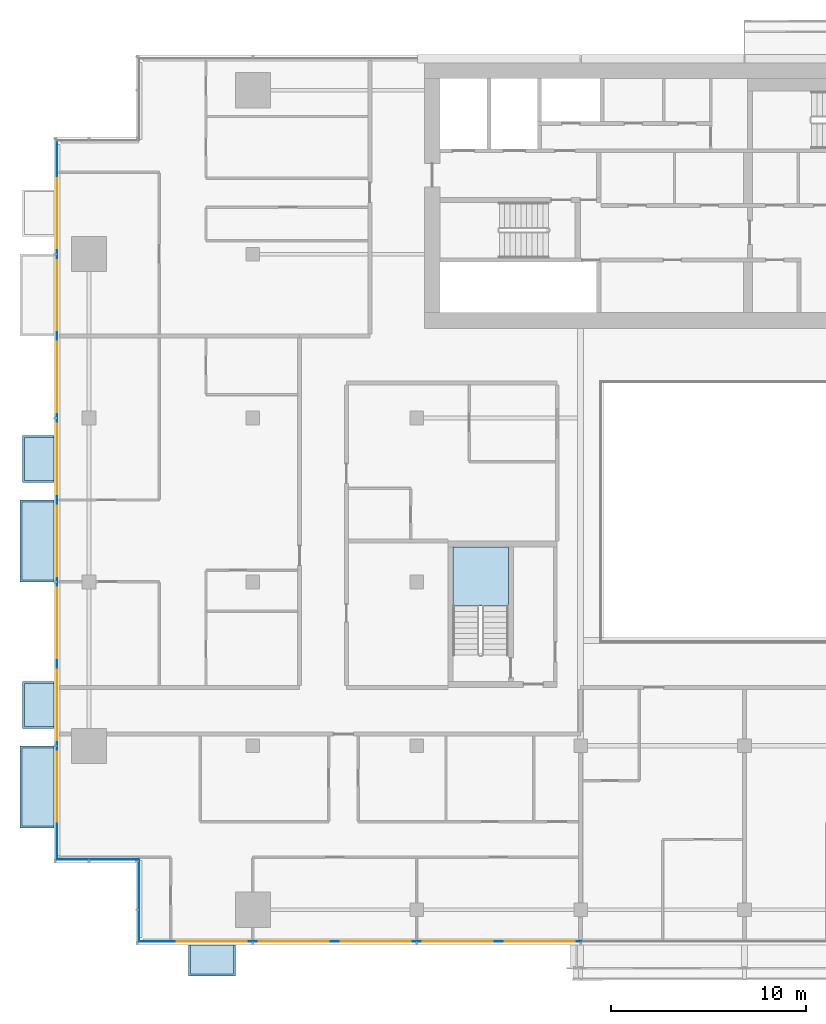
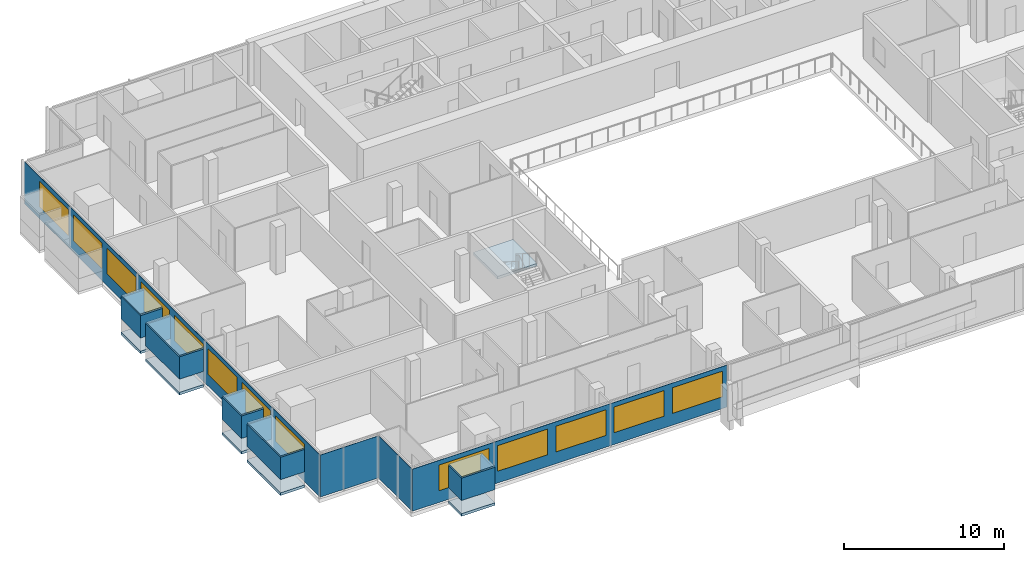
# One storey, part 14 of 28: 14 plates, 13 windows, 6 slabs, 13 openings, 5 elements without a shape of their own.
"""IFC4 building model written with IfcOpenShell, lengths in metres."""

from ifc_helpers import new_model, si_unit, direction, frame, frame_2d, origin, place, context, subcontext, project, spatial, polyline, rectangle, outline, extrude, material, layer, layer_set, type_object, element, fill, aggregate, save


model = new_model("IFC4")

# Units and contexts
model_context = context("Model", 3, precision=1e-05, world=origin(), true_north=direction((0.0, 1.0)))
body_context = subcontext(model_context, "Body", "Model", "MODEL_VIEW")
ifc_project = project(units=[si_unit("LENGTHUNIT", "METRE"), si_unit("AREAUNIT", "SQUARE_METRE"), si_unit("VOLUMEUNIT", "CUBIC_METRE"), si_unit("PLANEANGLEUNIT", "RADIAN"), si_unit("MASSUNIT", "GRAM", prefix="KILO")], contexts=[model_context])

# Site, building, storey
site_placement = place(None, origin())
site = spatial("IfcSite", under=ifc_project, at=site_placement, CompositionType="ELEMENT")
building_placement = place(site_placement, origin())
building = spatial("IfcBuilding", under=site, at=building_placement, Name="Saffron Gate Tower", CompositionType="ELEMENT")
storey_placement = place(building_placement, frame((0.0, 0.0, 151.050048828125)))
storey = spatial("IfcBuildingStorey", under=building, at=storey_placement, Name="L36", CompositionType="ELEMENT", Elevation=151.050048828125)

# Curtain wall, plate, openings, windows
ifc_material_1 = material(Name="Aluminium, bronze anodised", Category="aluminium")
curtain_wall_type_1 = type_object("IfcCurtainWallType", Name="CWS1 curtain wall front facade", PredefinedType="NOTDEFINED", material=ifc_material_1)
curtain_wall_1_placement = place(storey_placement, origin())
curtain_wall_1 = element("IfcCurtainWall", 1, at=curtain_wall_1_placement, inside=storey, type_object=curtain_wall_type_1, Name="CWS1 run 1", PredefinedType="NOTDEFINED")
ifc_material_2 = material(Name="Fritted bronze-tinted laminated glass", Category="glass")
ifc_layer_1 = layer(ifc_material_2, 0.028076171875)
ifc_layer_set_1 = layer_set([ifc_layer_1], Name="CWS1 fixed glass")
plate_type_1 = type_object("IfcPlateType", Name="CWS1 fixed glass", PredefinedType="CURTAIN_PANEL", material=ifc_layer_set_1)
plate_1_placement = place(storey_placement, frame((52.387939453125, 30.174072265625, 0.0), z_axis=(0.0, 0.0, 1.0), x_axis=(1.0, 0.0, 0.0)))
plate_1 = element("IfcPlate", 2, at=plate_1_placement, type_object=plate_type_1, Name="CWS1 glass panel", PredefinedType="CURTAIN_PANEL", context=body_context, shape_type="SweptSolid", body=[
    extrude(rectangle(XDim=22.64208984375, YDim=0.028076171875, at=frame_2d((11.321044921875, 0.0))), origin(), (0.0, 0.0, 1.0), 3.199951171875),
])
opening_1_placement = place(plate_1_placement, frame((1.912109375, 0.0, 0.89990234375)))
opening_1 = element("IfcOpeningElement", 3, at=opening_1_placement, cuts=plate_1, Name="Opening W1", PredefinedType="OPENING", context=body_context, shape_type="SweptSolid", body=[
    extrude(rectangle(XDim=3.60009765625, YDim=1.949951171875, at=frame_2d((1.800048828125, 0.97509765625))), frame((0.0, 0.02392578125, 0.0), z_axis=(0.0, -1.0, 0.0), x_axis=(1.0, 0.0, 0.0)), (0.0, 0.0, 1.0), 0.048095703125),
])
opening_2_placement = place(plate_1_placement, frame((6.112060546875, 0.0, 0.89990234375)))
opening_2 = element("IfcOpeningElement", 4, at=opening_2_placement, cuts=plate_1, Name="Opening W1", PredefinedType="OPENING", context=body_context, shape_type="SweptSolid", body=[
    extrude(rectangle(XDim=3.60009765625, YDim=1.949951171875, at=frame_2d((1.800048828125, 0.97509765625))), frame((0.0, 0.02392578125, 0.0), z_axis=(0.0, -1.0, 0.0), x_axis=(1.0, 0.0, 0.0)), (0.0, 0.0, 1.0), 0.048095703125),
])
opening_3_placement = place(plate_1_placement, frame((10.31201171875, 0.0, 0.89990234375)))
opening_3 = element("IfcOpeningElement", 5, at=opening_3_placement, cuts=plate_1, Name="Opening W1", PredefinedType="OPENING", context=body_context, shape_type="SweptSolid", body=[
    extrude(rectangle(XDim=3.60009765625, YDim=1.949951171875, at=frame_2d((1.800048828125, 0.97509765625))), frame((0.0, 0.02392578125, 0.0), z_axis=(0.0, -1.0, 0.0), x_axis=(1.0, 0.0, 0.0)), (0.0, 0.0, 1.0), 0.048095703125),
])
opening_4_placement = place(plate_1_placement, frame((14.511962890625, 0.0, 0.89990234375)))
opening_4 = element("IfcOpeningElement", 6, at=opening_4_placement, cuts=plate_1, Name="Opening W1", PredefinedType="OPENING", context=body_context, shape_type="SweptSolid", body=[
    extrude(rectangle(XDim=3.60009765625, YDim=1.949951171875, at=frame_2d((1.800048828125, 0.97509765625))), frame((0.0, 0.02392578125, 0.0), z_axis=(0.0, -1.0, 0.0), x_axis=(1.0, 0.0, 0.0)), (0.0, 0.0, 1.0), 0.048095703125),
])
opening_5_placement = place(plate_1_placement, frame((18.7119140625, 0.0, 0.89990234375)))
opening_5 = element("IfcOpeningElement", 7, at=opening_5_placement, cuts=plate_1, Name="Opening W1", PredefinedType="OPENING", context=body_context, shape_type="SweptSolid", body=[
    extrude(rectangle(XDim=3.60009765625, YDim=1.949951171875, at=frame_2d((1.800048828125, 0.97509765625))), frame((0.0, 0.02392578125, 0.0), z_axis=(0.0, -1.0, 0.0), x_axis=(1.0, 0.0, 0.0)), (0.0, 0.0, 1.0), 0.048095703125),
])
ifc_material_3 = material(Name="Fritted bronze-tinted laminated glass in bronze frame", Category="glass")
ifc_layer_2 = layer(ifc_material_3, 0.06005859375)
ifc_layer_set_2 = layer_set([ifc_layer_2], Name="W1 operable panel 3600x1950")
window_type = type_object("IfcWindowType", Name="W1 operable panel 3600x1950", PartitioningType="DOUBLE_PANEL_HORIZONTAL", PredefinedType="WINDOW", material=ifc_layer_set_2)
window_1_placement = place(opening_1_placement, origin())
window_1 = element("IfcWindow", 8, at=window_1_placement, type_object=window_type, Name="W1 operable panel", OverallHeight=1.949951171875, OverallWidth=3.60009765625, PartitioningType="SINGLE_PANEL", PredefinedType="WINDOW", context=body_context, shape_type="SweptSolid", body=[
    extrude(rectangle(XDim=3.60009765625, YDim=1.949951171875, at=frame_2d((1.800048828125, 0.97509765625))), frame((0.0, 0.013671875, 0.0), z_axis=(0.0, -1.0, 0.0), x_axis=(1.0, 0.0, 0.0)), (0.0, 0.0, 1.0), 0.027587890625),
])
fill(opening_1, window_1)
window_2_placement = place(opening_2_placement, origin())
window_2 = element("IfcWindow", 9, at=window_2_placement, type_object=window_type, Name="W1 operable panel", OverallHeight=1.949951171875, OverallWidth=3.60009765625, PartitioningType="SINGLE_PANEL", PredefinedType="WINDOW", context=body_context, shape_type="SweptSolid", body=[
    extrude(rectangle(XDim=3.60009765625, YDim=1.949951171875, at=frame_2d((1.800048828125, 0.97509765625))), frame((0.0, 0.013671875, 0.0), z_axis=(0.0, -1.0, 0.0), x_axis=(1.0, 0.0, 0.0)), (0.0, 0.0, 1.0), 0.027587890625),
])
fill(opening_2, window_2)
window_3_placement = place(opening_3_placement, origin())
window_3 = element("IfcWindow", 10, at=window_3_placement, type_object=window_type, Name="W1 operable panel", OverallHeight=1.949951171875, OverallWidth=3.60009765625, PartitioningType="SINGLE_PANEL", PredefinedType="WINDOW", context=body_context, shape_type="SweptSolid", body=[
    extrude(rectangle(XDim=3.60009765625, YDim=1.949951171875, at=frame_2d((1.800048828125, 0.97509765625))), frame((0.0, 0.013671875, 0.0), z_axis=(0.0, -1.0, 0.0), x_axis=(1.0, 0.0, 0.0)), (0.0, 0.0, 1.0), 0.027587890625),
])
fill(opening_3, window_3)
window_4_placement = place(opening_4_placement, origin())
window_4 = element("IfcWindow", 11, at=window_4_placement, type_object=window_type, Name="W1 operable panel", OverallHeight=1.949951171875, OverallWidth=3.60009765625, PartitioningType="SINGLE_PANEL", PredefinedType="WINDOW", context=body_context, shape_type="SweptSolid", body=[
    extrude(rectangle(XDim=3.60009765625, YDim=1.949951171875, at=frame_2d((1.800048828125, 0.97509765625))), frame((0.0, 0.013671875, 0.0), z_axis=(0.0, -1.0, 0.0), x_axis=(1.0, 0.0, 0.0)), (0.0, 0.0, 1.0), 0.027587890625),
])
fill(opening_4, window_4)
window_5_placement = place(opening_5_placement, origin())
window_5 = element("IfcWindow", 12, at=window_5_placement, type_object=window_type, Name="W1 operable panel", OverallHeight=1.949951171875, OverallWidth=3.60009765625, PartitioningType="SINGLE_PANEL", PredefinedType="WINDOW", context=body_context, shape_type="SweptSolid", body=[
    extrude(rectangle(XDim=3.60009765625, YDim=1.949951171875, at=frame_2d((1.800048828125, 0.97509765625))), frame((0.0, 0.013671875, 0.0), z_axis=(0.0, -1.0, 0.0), x_axis=(1.0, 0.0, 0.0)), (0.0, 0.0, 1.0), 0.027587890625),
])
fill(opening_5, window_5)
aggregate(curtain_wall_1, [plate_1, window_1, window_2, window_3, window_4, window_5])

curtain_wall_type_2 = type_object("IfcCurtainWallType", Name="CWS2 curtain wall side facades", PredefinedType="NOTDEFINED", material=ifc_material_1)
curtain_wall_2_placement = place(storey_placement, origin())
curtain_wall_2 = element("IfcCurtainWall", 13, at=curtain_wall_2_placement, inside=storey, type_object=curtain_wall_type_2, Name="CWS2 run 10", PredefinedType="NOTDEFINED")
ifc_layer_3 = layer(ifc_material_2, 0.028076171875)
ifc_layer_set_3 = layer_set([ifc_layer_3], Name="CWS2 fixed glass")
plate_type_2 = type_object("IfcPlateType", Name="CWS2 fixed glass", PredefinedType="CURTAIN_PANEL", material=ifc_layer_set_3)
plate_2_placement = place(storey_placement, frame((48.174072265625, 71.2119140625, 0.0), z_axis=(0.0, 0.0, 1.0), x_axis=(0.0, -1.0, 0.0)))
plate_2 = element("IfcPlate", 14, at=plate_2_placement, type_object=plate_type_2, Name="CWS2 glass panel", PredefinedType="CURTAIN_PANEL", context=body_context, shape_type="SweptSolid", body=[
    extrude(rectangle(XDim=36.823974609375, YDim=0.028076171875, at=frame_2d((18.412109375, 0.0))), origin(), (0.0, 0.0, 1.0), 3.199951171875),
])
opening_6_placement = place(plate_2_placement, frame((1.912109375, 0.0, 0.89990234375)))
opening_6 = element("IfcOpeningElement", 15, at=opening_6_placement, cuts=plate_2, Name="Opening W1", PredefinedType="OPENING", context=body_context, shape_type="SweptSolid", body=[
    extrude(rectangle(XDim=3.60009765625, YDim=1.949951171875, at=frame_2d((1.800048828125, 0.97509765625))), frame((0.0, 0.02392578125, 0.0), z_axis=(0.0, -1.0, 0.0), x_axis=(1.0, 0.0, 0.0)), (0.0, 0.0, 1.0), 0.048095703125),
])
opening_7_placement = place(plate_2_placement, frame((6.112060546875, 0.0, 0.89990234375)))
opening_7 = element("IfcOpeningElement", 16, at=opening_7_placement, cuts=plate_2, Name="Opening W1", PredefinedType="OPENING", context=body_context, shape_type="SweptSolid", body=[
    extrude(rectangle(XDim=3.60009765625, YDim=1.949951171875, at=frame_2d((1.800048828125, 0.97509765625))), frame((0.0, 0.02392578125, 0.0), z_axis=(0.0, -1.0, 0.0), x_axis=(1.0, 0.0, 0.0)), (0.0, 0.0, 1.0), 0.048095703125),
])
opening_8_placement = place(plate_2_placement, frame((10.31201171875, 0.0, 0.89990234375)))
opening_8 = element("IfcOpeningElement", 17, at=opening_8_placement, cuts=plate_2, Name="Opening W1", PredefinedType="OPENING", context=body_context, shape_type="SweptSolid", body=[
    extrude(rectangle(XDim=3.60009765625, YDim=1.949951171875, at=frame_2d((1.800048828125, 0.97509765625))), frame((0.0, 0.02392578125, 0.0), z_axis=(0.0, -1.0, 0.0), x_axis=(1.0, 0.0, 0.0)), (0.0, 0.0, 1.0), 0.048095703125),
])
opening_9_placement = place(plate_2_placement, frame((14.511962890625, 0.0, 0.89990234375)))
opening_9 = element("IfcOpeningElement", 18, at=opening_9_placement, cuts=plate_2, Name="Opening W1", PredefinedType="OPENING", context=body_context, shape_type="SweptSolid", body=[
    extrude(rectangle(XDim=3.60009765625, YDim=1.949951171875, at=frame_2d((1.800048828125, 0.97509765625))), frame((0.0, 0.02392578125, 0.0), z_axis=(0.0, -1.0, 0.0), x_axis=(1.0, 0.0, 0.0)), (0.0, 0.0, 1.0), 0.048095703125),
])
opening_10_placement = place(plate_2_placement, frame((18.7119140625, 0.0, 0.89990234375)))
opening_10 = element("IfcOpeningElement", 19, at=opening_10_placement, cuts=plate_2, Name="Opening W1", PredefinedType="OPENING", context=body_context, shape_type="SweptSolid", body=[
    extrude(rectangle(XDim=3.60009765625, YDim=1.949951171875, at=frame_2d((1.800048828125, 0.97509765625))), frame((0.0, 0.02392578125, 0.0), z_axis=(0.0, -1.0, 0.0), x_axis=(1.0, 0.0, 0.0)), (0.0, 0.0, 1.0), 0.048095703125),
])
opening_11_placement = place(plate_2_placement, frame((22.912109375, 0.0, 0.89990234375)))
opening_11 = element("IfcOpeningElement", 20, at=opening_11_placement, cuts=plate_2, Name="Opening W1", PredefinedType="OPENING", context=body_context, shape_type="SweptSolid", body=[
    extrude(rectangle(XDim=3.60009765625, YDim=1.949951171875, at=frame_2d((1.800048828125, 0.97509765625))), frame((0.0, 0.02392578125, 0.0), z_axis=(0.0, -1.0, 0.0), x_axis=(1.0, 0.0, 0.0)), (0.0, 0.0, 1.0), 0.048095703125),
])
opening_12_placement = place(plate_2_placement, frame((27.112060546875, 0.0, 0.89990234375)))
opening_12 = element("IfcOpeningElement", 21, at=opening_12_placement, cuts=plate_2, Name="Opening W1", PredefinedType="OPENING", context=body_context, shape_type="SweptSolid", body=[
    extrude(rectangle(XDim=3.60009765625, YDim=1.949951171875, at=frame_2d((1.800048828125, 0.97509765625))), frame((0.0, 0.02392578125, 0.0), z_axis=(0.0, -1.0, 0.0), x_axis=(1.0, 0.0, 0.0)), (0.0, 0.0, 1.0), 0.048095703125),
])
opening_13_placement = place(plate_2_placement, frame((31.31201171875, 0.0, 0.89990234375)))
opening_13 = element("IfcOpeningElement", 22, at=opening_13_placement, cuts=plate_2, Name="Opening W1", PredefinedType="OPENING", context=body_context, shape_type="SweptSolid", body=[
    extrude(rectangle(XDim=3.60009765625, YDim=1.949951171875, at=frame_2d((1.800048828125, 0.97509765625))), frame((0.0, 0.02392578125, 0.0), z_axis=(0.0, -1.0, 0.0), x_axis=(1.0, 0.0, 0.0)), (0.0, 0.0, 1.0), 0.048095703125),
])
window_6_placement = place(opening_6_placement, origin())
window_6 = element("IfcWindow", 23, at=window_6_placement, type_object=window_type, Name="W1 operable panel", OverallHeight=1.949951171875, OverallWidth=3.60009765625, PartitioningType="SINGLE_PANEL", PredefinedType="WINDOW", context=body_context, shape_type="SweptSolid", body=[
    extrude(rectangle(XDim=3.60009765625, YDim=1.949951171875, at=frame_2d((1.800048828125, 0.97509765625))), frame((0.0, 0.013671875, 0.0), z_axis=(0.0, -1.0, 0.0), x_axis=(1.0, 0.0, 0.0)), (0.0, 0.0, 1.0), 0.027587890625),
])
fill(opening_6, window_6)
window_7_placement = place(opening_7_placement, origin())
window_7 = element("IfcWindow", 24, at=window_7_placement, type_object=window_type, Name="W1 operable panel", OverallHeight=1.949951171875, OverallWidth=3.60009765625, PartitioningType="SINGLE_PANEL", PredefinedType="WINDOW", context=body_context, shape_type="SweptSolid", body=[
    extrude(rectangle(XDim=3.60009765625, YDim=1.949951171875, at=frame_2d((1.800048828125, 0.97509765625))), frame((0.0, 0.013671875, 0.0), z_axis=(0.0, -1.0, 0.0), x_axis=(1.0, 0.0, 0.0)), (0.0, 0.0, 1.0), 0.027587890625),
])
fill(opening_7, window_7)
window_8_placement = place(opening_8_placement, origin())
window_8 = element("IfcWindow", 25, at=window_8_placement, type_object=window_type, Name="W1 operable panel", OverallHeight=1.949951171875, OverallWidth=3.60009765625, PartitioningType="SINGLE_PANEL", PredefinedType="WINDOW", context=body_context, shape_type="SweptSolid", body=[
    extrude(rectangle(XDim=3.60009765625, YDim=1.949951171875, at=frame_2d((1.800048828125, 0.97509765625))), frame((0.0, 0.013671875, 0.0), z_axis=(0.0, -1.0, 0.0), x_axis=(1.0, 0.0, 0.0)), (0.0, 0.0, 1.0), 0.027587890625),
])
fill(opening_8, window_8)
window_9_placement = place(opening_9_placement, origin())
window_9 = element("IfcWindow", 26, at=window_9_placement, type_object=window_type, Name="W1 operable panel", OverallHeight=1.949951171875, OverallWidth=3.60009765625, PartitioningType="SINGLE_PANEL", PredefinedType="WINDOW", context=body_context, shape_type="SweptSolid", body=[
    extrude(rectangle(XDim=3.60009765625, YDim=1.949951171875, at=frame_2d((1.800048828125, 0.97509765625))), frame((0.0, 0.013671875, 0.0), z_axis=(0.0, -1.0, 0.0), x_axis=(1.0, 0.0, 0.0)), (0.0, 0.0, 1.0), 0.027587890625),
])
fill(opening_9, window_9)
window_10_placement = place(opening_10_placement, origin())
window_10 = element("IfcWindow", 27, at=window_10_placement, type_object=window_type, Name="W1 operable panel", OverallHeight=1.949951171875, OverallWidth=3.60009765625, PartitioningType="SINGLE_PANEL", PredefinedType="WINDOW", context=body_context, shape_type="SweptSolid", body=[
    extrude(rectangle(XDim=3.60009765625, YDim=1.949951171875, at=frame_2d((1.800048828125, 0.97509765625))), frame((0.0, 0.013671875, 0.0), z_axis=(0.0, -1.0, 0.0), x_axis=(1.0, 0.0, 0.0)), (0.0, 0.0, 1.0), 0.027587890625),
])
fill(opening_10, window_10)
window_11_placement = place(opening_11_placement, origin())
window_11 = element("IfcWindow", 28, at=window_11_placement, type_object=window_type, Name="W1 operable panel", OverallHeight=1.949951171875, OverallWidth=3.60009765625, PartitioningType="SINGLE_PANEL", PredefinedType="WINDOW", context=body_context, shape_type="SweptSolid", body=[
    extrude(rectangle(XDim=3.60009765625, YDim=1.949951171875, at=frame_2d((1.800048828125, 0.97509765625))), frame((0.0, 0.013671875, 0.0), z_axis=(0.0, -1.0, 0.0), x_axis=(1.0, 0.0, 0.0)), (0.0, 0.0, 1.0), 0.027587890625),
])
fill(opening_11, window_11)
window_12_placement = place(opening_12_placement, origin())
window_12 = element("IfcWindow", 29, at=window_12_placement, type_object=window_type, Name="W1 operable panel", OverallHeight=1.949951171875, OverallWidth=3.60009765625, PartitioningType="SINGLE_PANEL", PredefinedType="WINDOW", context=body_context, shape_type="SweptSolid", body=[
    extrude(rectangle(XDim=3.60009765625, YDim=1.949951171875, at=frame_2d((1.800048828125, 0.97509765625))), frame((0.0, 0.013671875, 0.0), z_axis=(0.0, -1.0, 0.0), x_axis=(1.0, 0.0, 0.0)), (0.0, 0.0, 1.0), 0.027587890625),
])
fill(opening_12, window_12)
window_13_placement = place(opening_13_placement, origin())
window_13 = element("IfcWindow", 30, at=window_13_placement, type_object=window_type, Name="W1 operable panel", OverallHeight=1.949951171875, OverallWidth=3.60009765625, PartitioningType="SINGLE_PANEL", PredefinedType="WINDOW", context=body_context, shape_type="SweptSolid", body=[
    extrude(rectangle(XDim=3.60009765625, YDim=1.949951171875, at=frame_2d((1.800048828125, 0.97509765625))), frame((0.0, 0.013671875, 0.0), z_axis=(0.0, -1.0, 0.0), x_axis=(1.0, 0.0, 0.0)), (0.0, 0.0, 1.0), 0.027587890625),
])
fill(opening_13, window_13)
aggregate(curtain_wall_2, [plate_2, window_6, window_7, window_8, window_9, window_10, window_11, window_12, window_13])

# Curtain wall, plate
curtain_wall_type_3 = type_object("IfcCurtainWallType", Name="CWS4 curtain wall corner returns", PredefinedType="NOTDEFINED", material=ifc_material_1)
curtain_wall_3_placement = place(storey_placement, origin())
curtain_wall_3 = element("IfcCurtainWall", 31, at=curtain_wall_3_placement, inside=storey, type_object=curtain_wall_type_3, Name="CWS4 run 11", PredefinedType="NOTDEFINED")
ifc_layer_4 = layer(ifc_material_2, 0.028076171875)
ifc_layer_set_4 = layer_set([ifc_layer_4], Name="CWS4 fixed glass")
plate_type_3 = type_object("IfcPlateType", Name="CWS4 fixed glass", PredefinedType="CURTAIN_PANEL", material=ifc_layer_set_4)
plate_3_placement = place(storey_placement, frame((48.18798828125, 34.3740234375, 0.0), z_axis=(0.0, 0.0, 1.0), x_axis=(1.0, 0.0, 0.0)))
plate_3 = element("IfcPlate", 32, at=plate_3_placement, type_object=plate_type_3, Name="CWS4 glass panel", PredefinedType="CURTAIN_PANEL", context=body_context, shape_type="SweptSolid", body=[
    extrude(rectangle(XDim=4.172119140625, YDim=0.028076171875, at=frame_2d((2.0859375, 0.0))), origin(), (0.0, 0.0, 1.0), 3.199951171875),
])
aggregate(curtain_wall_3, [plate_3])

curtain_wall_4_placement = place(storey_placement, origin())
curtain_wall_4 = element("IfcCurtainWall", 33, at=curtain_wall_4_placement, inside=storey, type_object=curtain_wall_type_3, Name="CWS4 run 12", PredefinedType="NOTDEFINED")
plate_4_placement = place(storey_placement, frame((52.3740234375, 34.360107421875, 0.0), z_axis=(0.0, 0.0, 1.0), x_axis=(0.0, -1.0, 0.0)))
plate_4 = element("IfcPlate", 34, at=plate_4_placement, type_object=plate_type_3, Name="CWS4 glass panel", PredefinedType="CURTAIN_PANEL", context=body_context, shape_type="SweptSolid", body=[
    extrude(rectangle(XDim=4.172119140625, YDim=0.028076171875, at=frame_2d((2.0859375, 0.0))), origin(), (0.0, 0.0, 1.0), 3.199951171875),
])
aggregate(curtain_wall_4, [plate_4])

# Stair, slab
ifc_material_4 = material(Name="Concrete C40", Category="concrete")
stair_type = type_object("IfcStairType", Name="ST7 Stair 1350 wide, 20 risers of 180", PredefinedType="HALF_TURN_STAIR", material=ifc_material_4)
stair_placement = place(storey_placement, origin())
stair = element("IfcStair", 35, at=stair_placement, inside=storey, type_object=stair_type, Name="L36 Exit stair D", PredefinedType="HALF_TURN_STAIR")
ifc_layer_5 = layer(ifc_material_4, 0.199951171875)
ifc_layer_set_5 = layer_set([ifc_layer_5], Name="SL1 Stair landing 200")
slab_type_1 = type_object("IfcSlabType", Name="SL1 Stair landing 200", PredefinedType="LANDING", material=ifc_layer_set_5)
slab_1_placement = place(storey_placement, frame((0.0, 0.0, 1.599853515625)))
slab_1 = element("IfcSlab", 36, at=slab_1_placement, type_object=slab_type_1, Name="ST-D landing 1", PredefinedType="LANDING", context=body_context, shape_type="SweptSolid", body=[
    extrude(outline(polyline([(71.300048828125, 47.3701171875), (71.300048828125, 50.39990234375), (68.449951171875, 50.39990234375), (68.449951171875, 47.3701171875), (71.300048828125, 47.3701171875)])), origin(), (0.0, 0.0, 1.0), 0.2001953125),
])
aggregate(stair, [slab_1])

# Slabs
ifc_material_5 = material(Name="Timber deck on bronze frame", Category="wood")
ifc_layer_6 = layer(ifc_material_5, 0.199951171875)
ifc_layer_set_6 = layer_set([ifc_layer_6], Name="WB1 box floor")
slab_type_2 = type_object("IfcSlabType", Name="WB1 box floor", PredefinedType="FLOOR", material=ifc_layer_set_6)
slab_2_placement = place(storey_placement, frame((0.0, 0.0, -0.199951171875)))
element("IfcSlab", 37, at=slab_2_placement, inside=storey, type_object=slab_type_2, Name="WINDOW BOX floor", PredefinedType="FLOOR", context=body_context, shape_type="SweptSolid", body=[
    extrude(outline(polyline([(54.89990234375, 30.0), (57.300048828125, 30.0), (57.300048828125, 28.39990234375), (54.89990234375, 28.39990234375), (54.89990234375, 30.0)])), origin(), (0.0, 0.0, 1.0), 0.199951171875),
])
slab_3_placement = place(storey_placement, frame((0.0, 0.0, -0.199951171875)))
element("IfcSlab", 38, at=slab_3_placement, inside=storey, type_object=slab_type_2, Name="WINDOW BOX floor", PredefinedType="FLOOR", context=body_context, shape_type="SweptSolid", body=[
    extrude(outline(polyline([(48.0, 56.10009765625), (48.0, 53.699951171875), (46.39990234375, 53.699951171875), (46.39990234375, 56.10009765625), (48.0, 56.10009765625)])), origin(), (0.0, 0.0, 1.0), 0.199951171875),
])
slab_4_placement = place(storey_placement, frame((0.0, 0.0, -0.199951171875)))
element("IfcSlab", 39, at=slab_4_placement, inside=storey, type_object=slab_type_2, Name="WINDOW BOX floor", PredefinedType="FLOOR", context=body_context, shape_type="SweptSolid", body=[
    extrude(outline(polyline([(48.0, 52.800048828125), (48.0, 48.60009765625), (46.26708984375, 48.60009765625), (46.26708984375, 52.800048828125), (48.0, 52.800048828125)])), origin(), (0.0, 0.0, 1.0), 0.199951171875),
])
slab_5_placement = place(storey_placement, frame((0.0, 0.0, -0.199951171875)))
element("IfcSlab", 40, at=slab_5_placement, inside=storey, type_object=slab_type_2, Name="WINDOW BOX floor", PredefinedType="FLOOR", context=body_context, shape_type="SweptSolid", body=[
    extrude(outline(polyline([(48.0, 43.5), (48.0, 41.10009765625), (46.39990234375, 41.10009765625), (46.39990234375, 43.5), (48.0, 43.5)])), origin(), (0.0, 0.0, 1.0), 0.199951171875),
])
slab_6_placement = place(storey_placement, frame((0.0, 0.0, -0.199951171875)))
element("IfcSlab", 41, at=slab_6_placement, inside=storey, type_object=slab_type_2, Name="WINDOW BOX floor", PredefinedType="FLOOR", context=body_context, shape_type="SweptSolid", body=[
    extrude(outline(polyline([(48.0, 40.199951171875), (48.0, 36.0), (46.26708984375, 36.0), (46.26708984375, 40.199951171875), (48.0, 40.199951171875)])), origin(), (0.0, 0.0, 1.0), 0.199951171875),
])

# Plates
ifc_layer_7 = layer(ifc_material_1, 0.1201171875)
ifc_layer_set_7 = layer_set([ifc_layer_7], Name="WB2 box roof")
plate_type_4 = type_object("IfcPlateType", Name="WB2 box roof", PredefinedType="SHEET", material=ifc_layer_set_7)
plate_5_placement = place(storey_placement, frame((0.0, 0.0, 2.699951171875)))
element("IfcPlate", 42, at=plate_5_placement, inside=storey, type_object=plate_type_4, Name="WINDOW BOX roof", PredefinedType="SHEET", context=body_context, shape_type="SweptSolid", body=[
    extrude(outline(polyline([(54.89990234375, 30.0), (57.300048828125, 30.0), (57.300048828125, 28.39990234375), (54.89990234375, 28.39990234375), (54.89990234375, 30.0)])), origin(), (0.0, 0.0, 1.0), 0.1201171875),
])
plate_6_placement = place(storey_placement, frame((0.0, 0.0, 2.699951171875)))
element("IfcPlate", 43, at=plate_6_placement, inside=storey, type_object=plate_type_4, Name="WINDOW BOX roof", PredefinedType="SHEET", context=body_context, shape_type="SweptSolid", body=[
    extrude(outline(polyline([(48.0, 56.10009765625), (48.0, 53.699951171875), (46.39990234375, 53.699951171875), (46.39990234375, 56.10009765625), (48.0, 56.10009765625)])), origin(), (0.0, 0.0, 1.0), 0.1201171875),
])
plate_7_placement = place(storey_placement, frame((0.0, 0.0, 2.699951171875)))
element("IfcPlate", 44, at=plate_7_placement, inside=storey, type_object=plate_type_4, Name="WINDOW BOX roof", PredefinedType="SHEET", context=body_context, shape_type="SweptSolid", body=[
    extrude(outline(polyline([(48.0, 52.800048828125), (48.0, 48.60009765625), (46.26708984375, 48.60009765625), (46.26708984375, 52.800048828125), (48.0, 52.800048828125)])), origin(), (0.0, 0.0, 1.0), 0.1201171875),
])
plate_8_placement = place(storey_placement, frame((0.0, 0.0, 2.699951171875)))
element("IfcPlate", 45, at=plate_8_placement, inside=storey, type_object=plate_type_4, Name="WINDOW BOX roof", PredefinedType="SHEET", context=body_context, shape_type="SweptSolid", body=[
    extrude(outline(polyline([(48.0, 43.5), (48.0, 41.10009765625), (46.39990234375, 41.10009765625), (46.39990234375, 43.5), (48.0, 43.5)])), origin(), (0.0, 0.0, 1.0), 0.1201171875),
])
plate_9_placement = place(storey_placement, frame((0.0, 0.0, 2.699951171875)))
element("IfcPlate", 46, at=plate_9_placement, inside=storey, type_object=plate_type_4, Name="WINDOW BOX roof", PredefinedType="SHEET", context=body_context, shape_type="SweptSolid", body=[
    extrude(outline(polyline([(48.0, 40.199951171875), (48.0, 36.0), (46.26708984375, 36.0), (46.26708984375, 40.199951171875), (48.0, 40.199951171875)])), origin(), (0.0, 0.0, 1.0), 0.1201171875),
])
ifc_material_6 = material(Name="Clear low-iron laminated glass", Category="glass")
ifc_layer_8 = layer(ifc_material_6, 0.10009765625)
ifc_layer_set_8 = layer_set([ifc_layer_8], Name="WB6 box glazing")
plate_type_5 = type_object("IfcPlateType", Name="WB6 box glazing", PredefinedType="SHEET", material=ifc_layer_set_8)
plate_10_placement = place(storey_placement, frame((0.0, 0.0, 1.0)))
element("IfcPlate", 47, at=plate_10_placement, inside=storey, type_object=plate_type_5, Name="WINDOW BOX glazing", PredefinedType="SHEET", context=body_context, shape_type="SweptSolid", body=[
    extrude(outline(polyline([(54.89990234375, 30.0), (55.0, 30.0), (55.0, 28.5), (57.199951171875, 28.5), (57.199951171875, 30.0), (57.300048828125, 30.0), (57.300048828125, 28.39990234375), (54.89990234375, 28.39990234375), (54.89990234375, 30.0)])), origin(), (0.0, 0.0, 1.0), 1.699951171875),
])
plate_11_placement = place(storey_placement, frame((0.0, 0.0, 1.0)))
element("IfcPlate", 48, at=plate_11_placement, inside=storey, type_object=plate_type_5, Name="WINDOW BOX glazing", PredefinedType="SHEET", context=body_context, shape_type="SweptSolid", body=[
    extrude(outline(polyline([(48.0, 56.10009765625), (48.0, 56.0), (46.5, 56.0), (46.5, 53.800048828125), (48.0, 53.800048828125), (48.0, 53.699951171875), (46.39990234375, 53.699951171875), (46.39990234375, 56.10009765625), (48.0, 56.10009765625)])), origin(), (0.0, 0.0, 1.0), 1.699951171875),
])
plate_12_placement = place(storey_placement, frame((0.0, 0.0, 1.0)))
element("IfcPlate", 49, at=plate_12_placement, inside=storey, type_object=plate_type_5, Name="WINDOW BOX glazing", PredefinedType="SHEET", context=body_context, shape_type="SweptSolid", body=[
    extrude(outline(polyline([(48.0, 52.800048828125), (48.0, 52.699951171875), (46.366943359375, 52.699951171875), (46.366943359375, 48.699951171875), (48.0, 48.699951171875), (48.0, 48.60009765625), (46.26708984375, 48.60009765625), (46.26708984375, 52.800048828125), (48.0, 52.800048828125)])), origin(), (0.0, 0.0, 1.0), 1.699951171875),
])
plate_13_placement = place(storey_placement, frame((0.0, 0.0, 1.0)))
element("IfcPlate", 50, at=plate_13_placement, inside=storey, type_object=plate_type_5, Name="WINDOW BOX glazing", PredefinedType="SHEET", context=body_context, shape_type="SweptSolid", body=[
    extrude(outline(polyline([(48.0, 43.5), (48.0, 43.39990234375), (46.5, 43.39990234375), (46.5, 41.199951171875), (48.0, 41.199951171875), (48.0, 41.10009765625), (46.39990234375, 41.10009765625), (46.39990234375, 43.5), (48.0, 43.5)])), origin(), (0.0, 0.0, 1.0), 1.699951171875),
])
plate_14_placement = place(storey_placement, frame((0.0, 0.0, 1.0)))
element("IfcPlate", 51, at=plate_14_placement, inside=storey, type_object=plate_type_5, Name="WINDOW BOX glazing", PredefinedType="SHEET", context=body_context, shape_type="SweptSolid", body=[
    extrude(outline(polyline([(48.0, 40.199951171875), (48.0, 40.10009765625), (46.366943359375, 40.10009765625), (46.366943359375, 36.10009765625), (48.0, 36.10009765625), (48.0, 36.0), (46.26708984375, 36.0), (46.26708984375, 40.199951171875), (48.0, 40.199951171875)])), origin(), (0.0, 0.0, 1.0), 1.699951171875),
])

save(model, "model.ifc")
